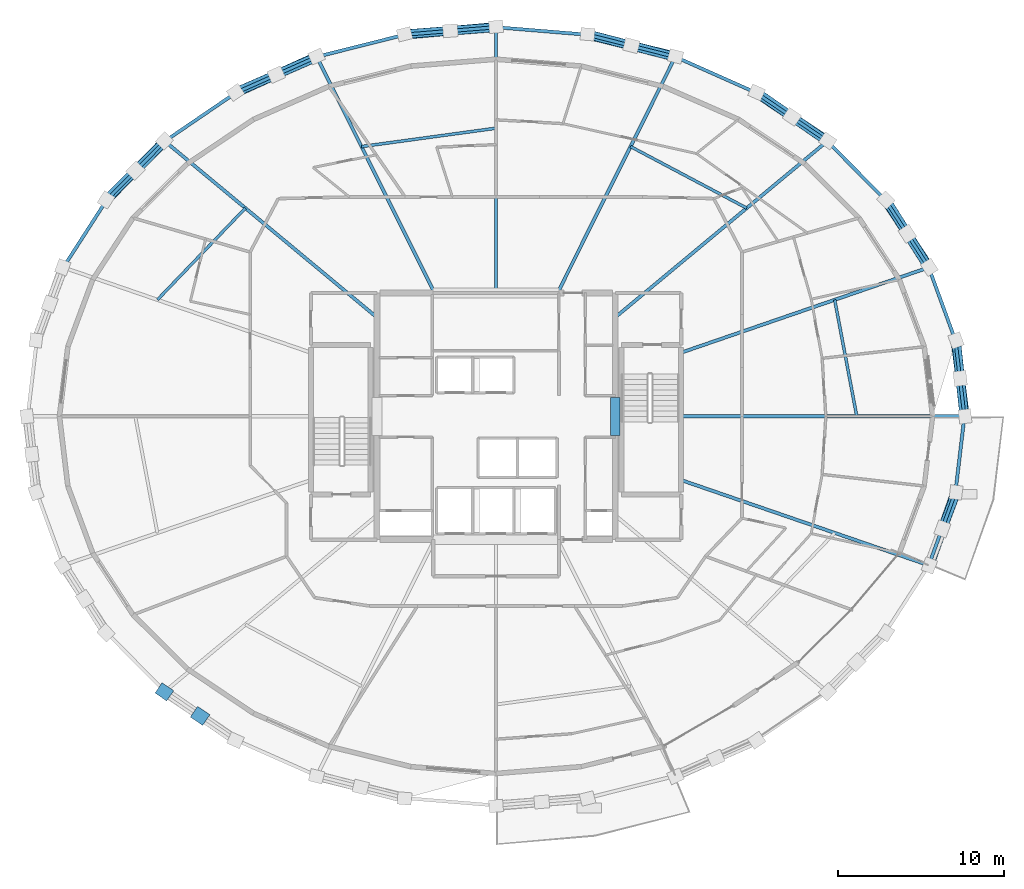
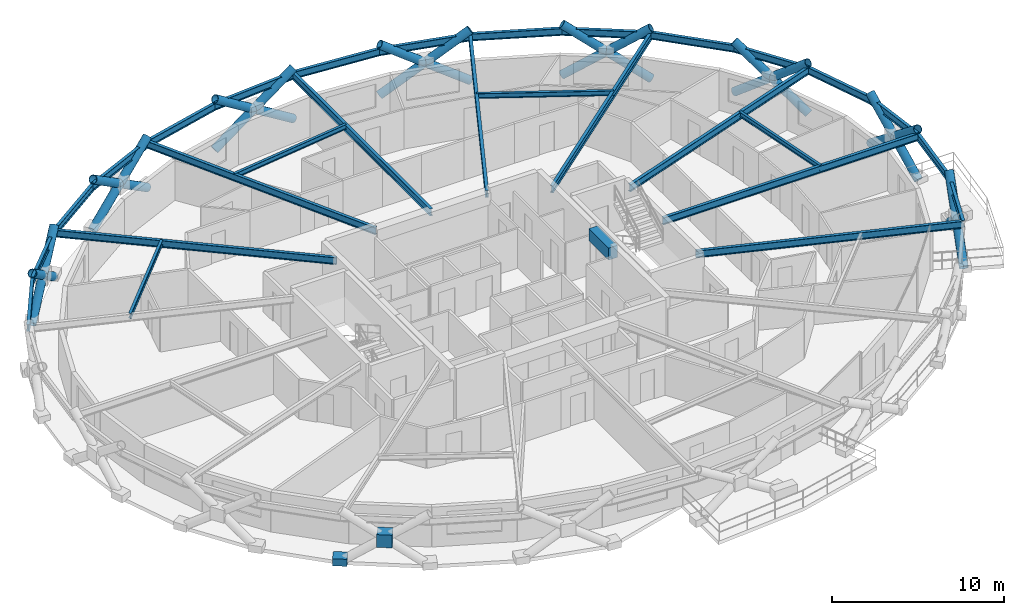
# One storey, part 7 of 14: 29 beams, 23 members, 2 plates.
"""IFC4 building model written with IfcOpenShell, lengths in metres."""

from ifc_helpers import new_model, si_unit, direction, frame, origin, origin_2d, place, context, subcontext, project, spatial, rectangle, hollow_circle, i_section, extrude, material, layer, layer_set, material_profile, profile_set, type_object, element, save


model = new_model("IFC4")

# Units and contexts
model_context = context("Model", 3, precision=1e-05, world=origin(), true_north=direction((0.0, 1.0)))
body_context = subcontext(model_context, "Body", "Model", "MODEL_VIEW")
ifc_project = project(units=[si_unit("LENGTHUNIT", "METRE"), si_unit("AREAUNIT", "SQUARE_METRE"), si_unit("VOLUMEUNIT", "CUBIC_METRE"), si_unit("PLANEANGLEUNIT", "RADIAN"), si_unit("MASSUNIT", "GRAM", prefix="KILO")], contexts=[model_context])

# Site, building, storey
site_placement = place(None, origin())
site = spatial("IfcSite", under=ifc_project, at=site_placement, CompositionType="ELEMENT")
building_placement = place(site_placement, origin())
building = spatial("IfcBuilding", under=site, at=building_placement, Name="Veldorina Hangang Commons", CompositionType="ELEMENT")
storey_placement = place(building_placement, frame((0.0, 0.0, 149.60009765625)))
storey = spatial("IfcBuildingStorey", under=building, at=storey_placement, Name="L38", CompositionType="ELEMENT", Elevation=149.60009765625)

# Beams
ifc_material_1 = material(Name="Concrete C60/75", Category="concrete")
ifc_material_profile_1 = material_profile(ifc_material_1, rectangle(XDim=0.60009765625, YDim=0.85009765625, at=origin_2d()), Name="RC-CB-600x850")
ifc_profile_set_1 = profile_set([ifc_material_profile_1], Name="Concrete C60/75")
beam_type_1 = type_object("IfcBeamType", Name="BM-CB850", PredefinedType="LINTEL", material=ifc_profile_set_1)
beam_1_placement = place(storey_placement, frame((39.199951171875, 22.85009765625, 2.9248046875), z_axis=(0.0, 1.0, 0.0), x_axis=(-1.0, 0.0, 0.0)))
element("IfcBeam", 1, at=beam_1_placement, inside=storey, type_object=beam_type_1, Name="L38 E core coupling lintel beam", PredefinedType="LINTEL", context=body_context, shape_type="SweptSolid", body=[
    extrude(rectangle(XDim=0.60009765625, YDim=0.85009765625, at=origin_2d()), origin(), (0.0, 0.0, 1.0), 2.2998046875),
])
ifc_material_2 = material(Name="Steel SM420-TMC", Category="steel")
ifc_material_profile_2 = material_profile(ifc_material_2, i_section(OverallWidth=0.199951171875, OverallDepth=0.5, WebThickness=0.010009765625, FlangeThickness=0.01611328125, FilletRadius=0.01611328125, at=origin_2d()), Name="H-500x200x10x16")
ifc_profile_set_2 = profile_set([ifc_material_profile_2], Name="Steel SM420-TMC")
beam_type_2 = type_object("IfcBeamType", Name="BM-FG500", PredefinedType="BEAM", material=ifc_profile_set_2)
beam_2_placement = place(storey_placement, frame((43.179931640625, 24.0, 3.099853515625), z_axis=(1.0, 0.0, 0.0), x_axis=(0.0, 1.0, 0.0)))
element("IfcBeam", 2, at=beam_2_placement, inside=storey, type_object=beam_type_2, Name="L38 radial floor girder 01", PredefinedType="BEAM", context=body_context, shape_type="SweptSolid", body=[
    extrude(i_section(OverallWidth=0.199951171875, OverallDepth=0.5, WebThickness=0.010009765625, FlangeThickness=0.01611328125, FilletRadius=0.01611328125, at=origin_2d()), origin(), (0.0, 0.0, 1.0), 17.10693359375),
])
beam_3_placement = place(storey_placement, frame((43.179931640625, 27.847412109375, 3.099853515625), z_axis=(0.945577538104, 0.325396864511, 0.0), x_axis=(-0.325396864511, 0.945577538104, 0.0)))
element("IfcBeam", 3, at=beam_3_placement, inside=storey, type_object=beam_type_2, Name="L38 radial floor girder 02", PredefinedType="BEAM", context=body_context, shape_type="SweptSolid", body=[
    extrude(i_section(OverallWidth=0.199951171875, OverallDepth=0.5, WebThickness=0.010009765625, FlangeThickness=0.01611328125, FilletRadius=0.01611328125, at=origin_2d()), origin(), (0.0, 0.0, 1.0), 15.814453125),
])
beam_4_placement = place(storey_placement, frame((39.199951171875, 29.981689453125, 3.099853515625), z_axis=(0.769170295329, 0.639043861393, 0.0), x_axis=(-0.639043861393, 0.769170295329, 0.0)))
element("IfcBeam", 4, at=beam_4_placement, inside=storey, type_object=beam_type_2, Name="L38 radial floor girder 03", PredefinedType="BEAM", context=body_context, shape_type="SweptSolid", body=[
    extrude(i_section(OverallWidth=0.199951171875, OverallDepth=0.5, WebThickness=0.010009765625, FlangeThickness=0.01611328125, FilletRadius=0.01611328125, at=origin_2d()), origin(), (0.0, 0.0, 1.0), 16.6435546875),
])
beam_5_placement = place(storey_placement, frame((35.71435546875, 31.449951171875, 3.099853515625), z_axis=(0.446189938387, 0.894938287751, 0.0), x_axis=(-0.894938287751, 0.446189938387, 0.0)))
element("IfcBeam", 5, at=beam_5_placement, inside=storey, type_object=beam_type_2, Name="L38 radial floor girder 04", PredefinedType="BEAM", context=body_context, shape_type="SweptSolid", body=[
    extrude(i_section(OverallWidth=0.199951171875, OverallDepth=0.5, WebThickness=0.010009765625, FlangeThickness=0.01611328125, FilletRadius=0.01611328125, at=origin_2d()), origin(), (0.0, 0.0, 1.0), 15.936279296875),
])
beam_6_placement = place(storey_placement, frame((32.0, 31.449951171875, 3.099853515625), z_axis=(0.0, 1.0, 0.0), x_axis=(-1.0, 0.0, 0.0)))
element("IfcBeam", 6, at=beam_6_placement, inside=storey, type_object=beam_type_2, Name="L38 radial floor girder 05", PredefinedType="BEAM", context=body_context, shape_type="SweptSolid", body=[
    extrude(i_section(OverallWidth=0.199951171875, OverallDepth=0.5, WebThickness=0.010009765625, FlangeThickness=0.01611328125, FilletRadius=0.01611328125, at=origin_2d()), origin(), (0.0, 0.0, 1.0), 16.05078125),
])
beam_7_placement = place(storey_placement, frame((28.28564453125, 31.449951171875, 3.099853515625), z_axis=(-0.446189938387, 0.894938287751, 0.0), x_axis=(-0.894938287751, -0.446189938387, 0.0)))
element("IfcBeam", 7, at=beam_7_placement, inside=storey, type_object=beam_type_2, Name="L38 radial floor girder 06", PredefinedType="BEAM", context=body_context, shape_type="SweptSolid", body=[
    extrude(i_section(OverallWidth=0.199951171875, OverallDepth=0.5, WebThickness=0.010009765625, FlangeThickness=0.01611328125, FilletRadius=0.01611328125, at=origin_2d()), origin(), (0.0, 0.0, 1.0), 15.936279296875),
])
beam_8_placement = place(storey_placement, frame((24.800048828125, 29.981689453125, 3.099853515625), z_axis=(-0.769170295329, 0.639043861393, 0.0), x_axis=(-0.639043861393, -0.769170295329, 0.0)))
element("IfcBeam", 8, at=beam_8_placement, inside=storey, type_object=beam_type_2, Name="L38 radial floor girder 07", PredefinedType="BEAM", context=body_context, shape_type="SweptSolid", body=[
    extrude(i_section(OverallWidth=0.199951171875, OverallDepth=0.5, WebThickness=0.010009765625, FlangeThickness=0.01611328125, FilletRadius=0.01611328125, at=origin_2d()), origin(), (0.0, 0.0, 1.0), 16.6435546875),
])
beam_9_placement = place(storey_placement, frame((43.179931640625, 20.152587890625, 3.099853515625), z_axis=(0.945577538104, -0.325396864511, 0.0), x_axis=(0.325396864511, 0.945577538104, 0.0)))
element("IfcBeam", 9, at=beam_9_placement, inside=storey, type_object=beam_type_2, Name="L38 radial floor girder 16", PredefinedType="BEAM", context=body_context, shape_type="SweptSolid", body=[
    extrude(i_section(OverallWidth=0.199951171875, OverallDepth=0.5, WebThickness=0.010009765625, FlangeThickness=0.01611328125, FilletRadius=0.01611328125, at=origin_2d()), origin(), (0.0, 0.0, 1.0), 15.814453125),
])
ifc_material_3 = material(Name="Steel SM355-TMC", Category="steel")
ifc_material_profile_3 = material_profile(ifc_material_3, i_section(OverallWidth=0.175048828125, OverallDepth=0.35009765625, WebThickness=0.007080078125, FlangeThickness=0.010986328125, FilletRadius=0.012939453125, at=origin_2d()), Name="H-350x175x7x11")
ifc_profile_set_3 = profile_set([ifc_material_profile_3], Name="Steel SM355-TMC")
beam_type_3 = type_object("IfcBeamType", Name="BM-JST350", PredefinedType="JOIST", material=ifc_profile_set_3)
beam_10_placement = place(storey_placement, frame((53.786376953125, 24.0, 3.1748046875), z_axis=(-0.186360310347, 0.98248146788, 0.0), x_axis=(-0.98248146788, -0.186360310347, 0.0)))
element("IfcBeam", 10, at=beam_10_placement, inside=storey, type_object=beam_type_3, Name="L38 secondary floor joist 01", PredefinedType="JOIST", context=body_context, shape_type="SweptSolid", body=[
    extrude(i_section(OverallWidth=0.175048828125, OverallDepth=0.35009765625, WebThickness=0.007080078125, FlangeThickness=0.010986328125, FilletRadius=0.012939453125, at=origin_2d()), origin(), (0.0, 0.0, 1.0), 7.163330078125),
])
beam_11_placement = place(storey_placement, frame((47.13720703125, 36.575927734375, 3.1748046875), z_axis=(-0.883629268199, 0.46818726636, 0.0), x_axis=(-0.46818726636, -0.883629268199, 0.0)))
element("IfcBeam", 11, at=beam_11_placement, inside=storey, type_object=beam_type_3, Name="L38 secondary floor joist 03", PredefinedType="JOIST", context=body_context, shape_type="SweptSolid", body=[
    extrude(i_section(OverallWidth=0.175048828125, OverallDepth=0.35009765625, WebThickness=0.007080078125, FlangeThickness=0.010986328125, FilletRadius=0.012939453125, at=origin_2d()), origin(), (0.0, 0.0, 1.0), 7.938232421875),
])
beam_12_placement = place(storey_placement, frame((32.0, 41.401611328125, 3.1748046875), z_axis=(-0.990806050519, -0.13528994883, 0.0), x_axis=(0.13528994883, -0.990806050519, 0.0)))
element("IfcBeam", 12, at=beam_12_placement, inside=storey, type_object=beam_type_3, Name="L38 secondary floor joist 05", PredefinedType="JOIST", context=body_context, shape_type="SweptSolid", body=[
    extrude(i_section(OverallWidth=0.175048828125, OverallDepth=0.35009765625, WebThickness=0.007080078125, FlangeThickness=0.010986328125, FilletRadius=0.012939453125, at=origin_2d()), origin(), (0.0, 0.0, 1.0), 8.1982421875),
])
beam_13_placement = place(storey_placement, frame((16.86279296875, 36.575927734375, 3.1748046875), z_axis=(-0.692372239826, -0.721540491947, 0.0), x_axis=(0.721540491947, -0.692372239826, 0.0)))
element("IfcBeam", 13, at=beam_13_placement, inside=storey, type_object=beam_type_3, Name="L38 secondary floor joist 07", PredefinedType="JOIST", context=body_context, shape_type="SweptSolid", body=[
    extrude(i_section(OverallWidth=0.175048828125, OverallDepth=0.35009765625, WebThickness=0.007080078125, FlangeThickness=0.010986328125, FilletRadius=0.012939453125, at=origin_2d()), origin(), (0.0, 0.0, 1.0), 7.67529296875),
])
ifc_material_profile_4 = material_profile(ifc_material_2, i_section(OverallWidth=0.199951171875, OverallDepth=0.5, WebThickness=0.010009765625, FlangeThickness=0.01611328125, FilletRadius=0.01611328125, at=origin_2d()), Name="H-500x200x10x16")
ifc_profile_set_4 = profile_set([ifc_material_profile_4], Name="Steel SM420-TMC")
beam_type_4 = type_object("IfcBeamType", Name="BM-RB500", PredefinedType="BEAM", material=ifc_profile_set_4)
beam_14_placement = place(storey_placement, frame((60.286865234375, 24.0, 3.099853515625), z_axis=(-0.117712561941, 0.993047709207, 0.0), x_axis=(-0.993047709207, -0.117712561941, 0.0)))
element("IfcBeam", 14, at=beam_14_placement, inside=storey, type_object=beam_type_4, Name="L38 perimeter hoop ring beam 00", PredefinedType="BEAM", context=body_context, shape_type="SweptSolid", body=[
    extrude(i_section(OverallWidth=0.199951171875, OverallDepth=0.5, WebThickness=0.010009765625, FlangeThickness=0.01611328125, FilletRadius=0.01611328125, at=origin_2d()), origin(), (0.0, 0.0, 1.0), 4.61669921875),
])
beam_15_placement = place(storey_placement, frame((59.743408203125, 28.584716796875, 3.099853515625), z_axis=(-0.34295818842, 0.939350669876, 0.0), x_axis=(-0.939350669876, -0.34295818842, 0.0)))
element("IfcBeam", 15, at=beam_15_placement, inside=storey, type_object=beam_type_4, Name="L38 perimeter hoop ring beam 01", PredefinedType="BEAM", context=body_context, shape_type="SweptSolid", body=[
    extrude(i_section(OverallWidth=0.199951171875, OverallDepth=0.5, WebThickness=0.010009765625, FlangeThickness=0.01611328125, FilletRadius=0.01611328125, at=origin_2d()), origin(), (0.0, 0.0, 1.0), 4.693359375),
])
beam_16_placement = place(storey_placement, frame((58.1337890625, 32.993408203125, 3.099853515625), z_axis=(-0.541064041237, 0.840981392945, 0.0), x_axis=(-0.840981392945, -0.541064041237, 0.0)))
element("IfcBeam", 16, at=beam_16_placement, inside=storey, type_object=beam_type_4, Name="L38 perimeter hoop ring beam 02", PredefinedType="BEAM", context=body_context, shape_type="SweptSolid", body=[
    extrude(i_section(OverallWidth=0.199951171875, OverallDepth=0.5, WebThickness=0.010009765625, FlangeThickness=0.01611328125, FilletRadius=0.01611328125, at=origin_2d()), origin(), (0.0, 0.0, 1.0), 4.831298828125),
])
beam_17_placement = place(storey_placement, frame((55.519775390625, 37.056396484375, 3.099853515625), z_axis=(-0.702777452467, 0.711409763993, 0.0), x_axis=(-0.711409763993, -0.702777452467, 0.0)))
element("IfcBeam", 17, at=beam_17_placement, inside=storey, type_object=beam_type_4, Name="L38 perimeter hoop ring beam 03", PredefinedType="BEAM", context=body_context, shape_type="SweptSolid", body=[
    extrude(i_section(OverallWidth=0.199951171875, OverallDepth=0.5, WebThickness=0.010009765625, FlangeThickness=0.01611328125, FilletRadius=0.01611328125, at=origin_2d()), origin(), (0.0, 0.0, 1.0), 5.005859375),
])
beam_18_placement = place(storey_placement, frame((52.001708984375, 40.61767578125, 3.099853515625), z_axis=(-0.826220373452, 0.563347046227, 0.0), x_axis=(-0.563347046227, -0.826220373452, 0.0)))
element("IfcBeam", 18, at=beam_18_placement, inside=storey, type_object=beam_type_4, Name="L38 perimeter hoop ring beam 04", PredefinedType="BEAM", context=body_context, shape_type="SweptSolid", body=[
    extrude(i_section(OverallWidth=0.199951171875, OverallDepth=0.5, WebThickness=0.010009765625, FlangeThickness=0.01611328125, FilletRadius=0.01611328125, at=origin_2d()), origin(), (0.0, 0.0, 1.0), 5.18798828125),
])
beam_19_placement = place(storey_placement, frame((47.71533203125, 43.540283203125, 3.099853515625), z_axis=(-0.91394132535, 0.405846342619, 0.0), x_axis=(-0.405846342619, -0.91394132535, 0.0)))
element("IfcBeam", 19, at=beam_19_placement, inside=storey, type_object=beam_type_4, Name="L38 perimeter hoop ring beam 05", PredefinedType="BEAM", context=body_context, shape_type="SweptSolid", body=[
    extrude(i_section(OverallWidth=0.199951171875, OverallDepth=0.5, WebThickness=0.010009765625, FlangeThickness=0.01611328125, FilletRadius=0.01611328125, at=origin_2d()), origin(), (0.0, 0.0, 1.0), 5.350830078125),
])
beam_20_placement = place(storey_placement, frame((42.824951171875, 45.7119140625, 3.099853515625), z_axis=(-0.969676214769, 0.244393204716, 0.0), x_axis=(-0.244393204716, -0.969676214769, 0.0)))
element("IfcBeam", 20, at=beam_20_placement, inside=storey, type_object=beam_type_4, Name="L38 perimeter hoop ring beam 06", PredefinedType="BEAM", context=body_context, shape_type="SweptSolid", body=[
    extrude(i_section(OverallWidth=0.199951171875, OverallDepth=0.5, WebThickness=0.010009765625, FlangeThickness=0.01611328125, FilletRadius=0.01611328125, at=origin_2d()), origin(), (0.0, 0.0, 1.0), 5.472412109375),
])
for number, where, z_axis, x_axis, name in (
    (21, (37.5185546875, 47.04931640625, 3.099853515625), (-0.996671102481, 0.081527378716, 0.0), (-0.081527378716, -0.996671102481, 0.0), "L38 perimeter hoop ring beam 07"),
    (22, (32.0, 47.500732421875, 3.099853515625), (-0.996671102481, -0.081527378716, 0.0), (0.081527378716, -0.996671102481, 0.0), "L38 perimeter hoop ring beam 08"),
):
    element("IfcBeam", number, at=place(storey_placement, frame(where, z_axis=z_axis, x_axis=x_axis)), inside=storey, type_object=beam_type_4, Name=name, PredefinedType="BEAM", context=body_context, shape_type="SweptSolid", body=[
        extrude(i_section(OverallWidth=0.199951171875, OverallDepth=0.5, WebThickness=0.010009765625, FlangeThickness=0.01611328125, FilletRadius=0.01611328125, at=origin_2d()), origin(), (0.0, 0.0, 1.0), 5.536865234375),
    ])
beam_21_placement = place(storey_placement, frame((26.4814453125, 47.04931640625, 3.099853515625), z_axis=(-0.969676214769, -0.244393204716, 0.0), x_axis=(0.244393204716, -0.969676214769, 0.0)))
element("IfcBeam", 23, at=beam_21_placement, inside=storey, type_object=beam_type_4, Name="L38 perimeter hoop ring beam 09", PredefinedType="BEAM", context=body_context, shape_type="SweptSolid", body=[
    extrude(i_section(OverallWidth=0.199951171875, OverallDepth=0.5, WebThickness=0.010009765625, FlangeThickness=0.01611328125, FilletRadius=0.01611328125, at=origin_2d()), origin(), (0.0, 0.0, 1.0), 5.472412109375),
])
beam_22_placement = place(storey_placement, frame((21.175048828125, 45.7119140625, 3.099853515625), z_axis=(-0.91394132535, -0.405846342619, 0.0), x_axis=(0.405846342619, -0.91394132535, 0.0)))
element("IfcBeam", 24, at=beam_22_placement, inside=storey, type_object=beam_type_4, Name="L38 perimeter hoop ring beam 10", PredefinedType="BEAM", context=body_context, shape_type="SweptSolid", body=[
    extrude(i_section(OverallWidth=0.199951171875, OverallDepth=0.5, WebThickness=0.010009765625, FlangeThickness=0.01611328125, FilletRadius=0.01611328125, at=origin_2d()), origin(), (0.0, 0.0, 1.0), 5.350830078125),
])
beam_23_placement = place(storey_placement, frame((16.28466796875, 43.540283203125, 3.099853515625), z_axis=(-0.826220373452, -0.563347046227, 0.0), x_axis=(0.563347046227, -0.826220373452, 0.0)))
element("IfcBeam", 25, at=beam_23_placement, inside=storey, type_object=beam_type_4, Name="L38 perimeter hoop ring beam 11", PredefinedType="BEAM", context=body_context, shape_type="SweptSolid", body=[
    extrude(i_section(OverallWidth=0.199951171875, OverallDepth=0.5, WebThickness=0.010009765625, FlangeThickness=0.01611328125, FilletRadius=0.01611328125, at=origin_2d()), origin(), (0.0, 0.0, 1.0), 5.18798828125),
])
beam_24_placement = place(storey_placement, frame((11.998291015625, 40.61767578125, 3.099853515625), z_axis=(-0.702777452467, -0.711409763993, 0.0), x_axis=(0.711409763993, -0.702777452467, 0.0)))
element("IfcBeam", 26, at=beam_24_placement, inside=storey, type_object=beam_type_4, Name="L38 perimeter hoop ring beam 12", PredefinedType="BEAM", context=body_context, shape_type="SweptSolid", body=[
    extrude(i_section(OverallWidth=0.199951171875, OverallDepth=0.5, WebThickness=0.010009765625, FlangeThickness=0.01611328125, FilletRadius=0.01611328125, at=origin_2d()), origin(), (0.0, 0.0, 1.0), 5.005859375),
])
beam_25_placement = place(storey_placement, frame((8.480224609375, 37.056396484375, 3.099853515625), z_axis=(-0.541064041237, -0.840981392945, 0.0), x_axis=(0.840981392945, -0.541064041237, 0.0)))
element("IfcBeam", 27, at=beam_25_placement, inside=storey, type_object=beam_type_4, Name="L38 perimeter hoop ring beam 13", PredefinedType="BEAM", context=body_context, shape_type="SweptSolid", body=[
    extrude(i_section(OverallWidth=0.199951171875, OverallDepth=0.5, WebThickness=0.010009765625, FlangeThickness=0.01611328125, FilletRadius=0.01611328125, at=origin_2d()), origin(), (0.0, 0.0, 1.0), 4.831298828125),
])
beam_26_placement = place(storey_placement, frame((58.1337890625, 15.006591796875, 3.099853515625), z_axis=(0.34295818842, 0.939350669876, 0.0), x_axis=(-0.939350669876, 0.34295818842, 0.0)))
element("IfcBeam", 28, at=beam_26_placement, inside=storey, type_object=beam_type_4, Name="L38 perimeter hoop ring beam 30", PredefinedType="BEAM", context=body_context, shape_type="SweptSolid", body=[
    extrude(i_section(OverallWidth=0.199951171875, OverallDepth=0.5, WebThickness=0.010009765625, FlangeThickness=0.01611328125, FilletRadius=0.01611328125, at=origin_2d()), origin(), (0.0, 0.0, 1.0), 4.693359375),
])
beam_27_placement = place(storey_placement, frame((59.743408203125, 19.415283203125, 3.099853515625), z_axis=(0.117712561941, 0.993047709207, 0.0), x_axis=(-0.993047709207, 0.117712561941, 0.0)))
element("IfcBeam", 29, at=beam_27_placement, inside=storey, type_object=beam_type_4, Name="L38 perimeter hoop ring beam 31", PredefinedType="BEAM", context=body_context, shape_type="SweptSolid", body=[
    extrude(i_section(OverallWidth=0.199951171875, OverallDepth=0.5, WebThickness=0.010009765625, FlangeThickness=0.01611328125, FilletRadius=0.01611328125, at=origin_2d()), origin(), (0.0, 0.0, 1.0), 4.61669921875),
])

# Members
ifc_material_profile_5 = material_profile(ifc_material_2, hollow_circle(Radius=0.27490234375, WallThickness=0.028076171875, at=origin_2d()), Name="CHS-550x28")
ifc_profile_set_5 = profile_set([ifc_material_profile_5], Name="Steel SM420-TMC")
member_type = type_object("IfcMemberType", Name="DG-CHS550", PredefinedType="BRACE", material=ifc_profile_set_5)
member_1_placement = place(storey_placement, frame((60.32568359375, 24.0, 0.0), z_axis=(-0.10043747987, 0.782495486324, 0.614502340533), x_axis=(-0.99186286061, -0.1273109019, 0.0)))
element("IfcMember", 30, at=member_1_placement, inside=storey, type_object=member_type, Name="L38 continuous perimeter diagrid brace 00", PredefinedType="BRACE", context=body_context, shape_type="SweptSolid", body=[
    extrude(hollow_circle(Radius=0.27490234375, WallThickness=0.028076171875, at=origin_2d()), origin(), (0.0, 0.0, 1.0), 5.858154296875),
])
member_2_placement = place(storey_placement, frame((59.781494140625, 28.590087890625, 0.0), z_axis=(0.085262344098, -0.784030176863, 0.614839015065), x_axis=(0.994138785245, 0.108111403987, 0.0)))
element("IfcMember", 31, at=member_2_placement, inside=storey, type_object=member_type, Name="L38 split perimeter diagrid lower brace 01", PredefinedType="BRACE", context=body_context, shape_type="SweptSolid", body=[
    extrude(hollow_circle(Radius=0.27490234375, WallThickness=0.028076171875, at=origin_2d()), origin(), (0.0, 0.0, 1.0), 2.92919921875),
])
member_3_placement = place(storey_placement, frame((60.03125, 26.29345703125, 1.801025390625), z_axis=(0.085208545501, -0.783985383383, 0.614903587903), x_axis=(0.99414545161, 0.108050085809, 0.0)))
element("IfcMember", 32, at=member_3_placement, inside=storey, type_object=member_type, Name="L38 split perimeter diagrid upper brace 01", PredefinedType="BRACE", context=body_context, shape_type="SweptSolid", body=[
    extrude(hollow_circle(Radius=0.27490234375, WallThickness=0.028076171875, at=origin_2d()), origin(), (0.0, 0.0, 1.0), 2.92529296875),
])
member_4_placement = place(storey_placement, frame((58.169677734375, 33.00390625, 0.0), z_axis=(-0.440032838806, 0.671175502294, 0.596568978319), x_axis=(-0.83629135652, -0.548285297095, 0.0)))
element("IfcMember", 33, at=member_4_placement, inside=storey, type_object=member_type, Name="L38 continuous perimeter diagrid brace 02", PredefinedType="BRACE", context=body_context, shape_type="SweptSolid", body=[
    extrude(hollow_circle(Radius=0.27490234375, WallThickness=0.028076171875, at=origin_2d()), origin(), (0.0, 0.0, 1.0), 6.0341796875),
])
member_5_placement = place(storey_placement, frame((55.552001953125, 37.071533203125, 0.0), z_axis=(0.427955514779, -0.677677283913, 0.598002990158), x_axis=(0.845517737838, 0.533947333547, 0.0)))
element("IfcMember", 34, at=member_5_placement, inside=storey, type_object=member_type, Name="L38 split perimeter diagrid lower brace 03", PredefinedType="BRACE", context=body_context, shape_type="SweptSolid", body=[
    extrude(hollow_circle(Radius=0.27490234375, WallThickness=0.028076171875, at=origin_2d()), origin(), (0.0, 0.0, 1.0), 3.01220703125),
])
member_6_placement = place(storey_placement, frame((56.841064453125, 35.0302734375, 1.80126953125), z_axis=(0.427846222587, -0.677768157579, 0.597978205615), x_axis=(0.84561160894, 0.533798657572, 0.0)))
element("IfcMember", 35, at=member_6_placement, inside=storey, type_object=member_type, Name="L38 split perimeter diagrid upper brace 03", PredefinedType="BRACE", context=body_context, shape_type="SweptSolid", body=[
    extrude(hollow_circle(Radius=0.27490234375, WallThickness=0.028076171875, at=origin_2d()), origin(), (0.0, 0.0, 1.0), 3.0078125),
])
member_7_placement = place(storey_placement, frame((52.029296875, 40.63671875, 0.0), z_axis=(-0.682568429135, 0.458467982428, 0.569128674938), x_axis=(-0.557578393246, -0.830124289119, 0.0)))
element("IfcMember", 36, at=member_7_placement, inside=storey, type_object=member_type, Name="L38 continuous perimeter diagrid brace 04", PredefinedType="BRACE", context=body_context, shape_type="SweptSolid", body=[
    extrude(hollow_circle(Radius=0.27490234375, WallThickness=0.028076171875, at=origin_2d()), origin(), (0.0, 0.0, 1.0), 6.3251953125),
])
member_8_placement = place(storey_placement, frame((47.737060546875, 43.562744140625, 0.0), z_axis=(0.675345883336, -0.467219936009, 0.570625507015), x_axis=(0.568940593857, 0.822378623665, 0.0)))
element("IfcMember", 37, at=member_8_placement, inside=storey, type_object=member_type, Name="L38 split perimeter diagrid lower brace 05", PredefinedType="BRACE", context=body_context, shape_type="SweptSolid", body=[
    extrude(hollow_circle(Radius=0.27490234375, WallThickness=0.028076171875, at=origin_2d()), origin(), (0.0, 0.0, 1.0), 3.15673828125),
])
member_9_placement = place(storey_placement, frame((49.868896484375, 42.087890625, 1.80126953125), z_axis=(0.675231045843, -0.46742594192, 0.570592694967), x_axis=(0.569175648602, 0.822215957665, 0.0)))
element("IfcMember", 38, at=member_9_placement, inside=storey, type_object=member_type, Name="L38 split perimeter diagrid upper brace 05", PredefinedType="BRACE", context=body_context, shape_type="SweptSolid", body=[
    extrude(hollow_circle(Radius=0.27490234375, WallThickness=0.028076171875, at=origin_2d()), origin(), (0.0, 0.0, 1.0), 3.152099609375),
])
member_10_placement = place(storey_placement, frame((42.83984375, 45.737060546875, 0.0), z_axis=(-0.811688751292, 0.199450329832, 0.548981727343), x_axis=(-0.238624231571, -0.97111197918, 0.0)))
element("IfcMember", 39, at=member_10_placement, inside=storey, type_object=member_type, Name="L38 continuous perimeter diagrid brace 06", PredefinedType="BRACE", context=body_context, shape_type="SweptSolid", body=[
    extrude(hollow_circle(Radius=0.27490234375, WallThickness=0.028076171875, at=origin_2d()), origin(), (0.0, 0.0, 1.0), 6.557373046875),
])
member_11_placement = place(storey_placement, frame((37.526123046875, 47.075927734375, 0.0), z_axis=(0.808834033051, -0.208839516824, 0.549703159161), x_axis=(0.249999402392, 0.968245990854, 0.0)))
element("IfcMember", 40, at=member_11_placement, inside=storey, type_object=member_type, Name="L38 split perimeter diagrid lower brace 07", PredefinedType="BRACE", context=body_context, shape_type="SweptSolid", body=[
    extrude(hollow_circle(Radius=0.27490234375, WallThickness=0.028076171875, at=origin_2d()), origin(), (0.0, 0.0, 1.0), 3.27685546875),
])
member_12_placement = place(storey_placement, frame((40.176513671875, 46.3916015625, 1.80126953125), z_axis=(0.808759727675, -0.209017899725, 0.549744686638), x_axis=(0.250221128378, 0.968188714515, 0.0)))
element("IfcMember", 41, at=member_12_placement, inside=storey, type_object=member_type, Name="L38 split perimeter diagrid upper brace 07", PredefinedType="BRACE", context=body_context, shape_type="SweptSolid", body=[
    extrude(hollow_circle(Radius=0.27490234375, WallThickness=0.028076171875, at=origin_2d()), origin(), (0.0, 0.0, 1.0), 3.271728515625),
])
member_13_placement = place(storey_placement, frame((32.0, 47.528076171875, 0.0), z_axis=(-0.835256678797, -0.073143633229, 0.544973659403), x_axis=(0.087236397032, -0.996187638466, 0.0)))
element("IfcMember", 42, at=member_13_placement, inside=storey, type_object=member_type, Name="L38 continuous perimeter diagrid brace 08", PredefinedType="BRACE", context=body_context, shape_type="SweptSolid", body=[
    extrude(hollow_circle(Radius=0.27490234375, WallThickness=0.028076171875, at=origin_2d()), origin(), (0.0, 0.0, 1.0), 6.60546875),
])
member_14_placement = place(storey_placement, frame((26.473876953125, 47.075927734375, 0.0), z_axis=(0.836222574531, 0.063637667453, 0.54468527897), x_axis=(-0.075881936063, 0.997116809496, 0.0)))
element("IfcMember", 43, at=member_14_placement, inside=storey, type_object=member_type, Name="L38 split perimeter diagrid lower brace 09", PredefinedType="BRACE", context=body_context, shape_type="SweptSolid", body=[
    extrude(hollow_circle(Radius=0.27490234375, WallThickness=0.028076171875, at=origin_2d()), origin(), (0.0, 0.0, 1.0), 3.306884765625),
])
member_15_placement = place(storey_placement, frame((29.2392578125, 47.286376953125, 1.80126953125), z_axis=(0.836178409206, 0.063593334977, 0.544758254388), x_axis=(-0.07583335995, 0.997120505014, 0.0)))
element("IfcMember", 44, at=member_15_placement, inside=storey, type_object=member_type, Name="L38 split perimeter diagrid upper brace 09", PredefinedType="BRACE", context=body_context, shape_type="SweptSolid", body=[
    extrude(hollow_circle(Radius=0.27490234375, WallThickness=0.028076171875, at=origin_2d()), origin(), (0.0, 0.0, 1.0), 3.301513671875),
])
member_16_placement = place(storey_placement, frame((21.16015625, 45.737060546875, 0.0), z_axis=(-0.7559464412, -0.341418384172, 0.558550324489), x_axis=(0.411609970981, -0.911360099955, 0.0)))
element("IfcMember", 45, at=member_16_placement, inside=storey, type_object=member_type, Name="L38 continuous perimeter diagrid brace 10", PredefinedType="BRACE", context=body_context, shape_type="SweptSolid", body=[
    extrude(hollow_circle(Radius=0.27490234375, WallThickness=0.028076171875, at=origin_2d()), origin(), (0.0, 0.0, 1.0), 6.445068359375),
])
member_17_placement = place(storey_placement, frame((16.262939453125, 43.562744140625, 0.0), z_axis=(0.760989931178, 0.332073827423, 0.557334098891), x_axis=(-0.39995001438, 0.916536952881, 0.0)))
element("IfcMember", 46, at=member_17_placement, inside=storey, type_object=member_type, Name="L38 split perimeter diagrid lower brace 11", PredefinedType="BRACE", context=body_context, shape_type="SweptSolid", body=[
    extrude(hollow_circle(Radius=0.27490234375, WallThickness=0.028076171875, at=origin_2d()), origin(), (0.0, 0.0, 1.0), 3.23193359375),
])
member_18_placement = place(storey_placement, frame((18.722412109375, 44.635986328125, 1.80126953125), z_axis=(0.760884407169, 0.332168113313, 0.557421979675), x_axis=(-0.400092001366, 0.916474980806, 0.0)))
element("IfcMember", 47, at=member_18_placement, inside=storey, type_object=member_type, Name="L38 split perimeter diagrid upper brace 11", PredefinedType="BRACE", context=body_context, shape_type="SweptSolid", body=[
    extrude(hollow_circle(Radius=0.27490234375, WallThickness=0.028076171875, at=origin_2d()), origin(), (0.0, 0.0, 1.0), 3.2265625),
])
member_19_placement = place(storey_placement, frame((11.970703125, 40.63671875, 0.0), z_axis=(-0.565797633173, -0.58165185757, 0.58442634684), x_axis=(0.716808404306, -0.697270185449, 0.0)))
element("IfcMember", 48, at=member_19_placement, inside=storey, type_object=member_type, Name="L38 continuous perimeter diagrid brace 12", PredefinedType="BRACE", context=body_context, shape_type="SweptSolid", body=[
    extrude(hollow_circle(Radius=0.27490234375, WallThickness=0.028076171875, at=origin_2d()), origin(), (0.0, 0.0, 1.0), 6.15966796875),
])
member_20_placement = place(storey_placement, frame((8.447998046875, 37.071533203125, 0.0), z_axis=(0.575598404646, 0.573544388928, 0.582866460263), x_axis=(-0.70584174766, 0.708369555572, 0.0)))
element("IfcMember", 49, at=member_20_placement, inside=storey, type_object=member_type, Name="L38 split perimeter diagrid lower brace 13", PredefinedType="BRACE", context=body_context, shape_type="SweptSolid", body=[
    extrude(hollow_circle(Radius=0.27490234375, WallThickness=0.028076171875, at=origin_2d()), origin(), (0.0, 0.0, 1.0), 3.09033203125),
])
member_21_placement = place(storey_placement, frame((10.226806640625, 38.843994140625, 1.80126953125), z_axis=(0.57546447422, 0.573723998769, 0.582821938628), x_axis=(-0.706035040062, 0.70817690036, 0.0)))
element("IfcMember", 50, at=member_21_placement, inside=storey, type_object=member_type, Name="L38 split perimeter diagrid upper brace 13", PredefinedType="BRACE", context=body_context, shape_type="SweptSolid", body=[
    extrude(hollow_circle(Radius=0.27490234375, WallThickness=0.028076171875, at=origin_2d()), origin(), (0.0, 0.0, 1.0), 3.0859375),
])
member_22_placement = place(storey_placement, frame((58.169677734375, 14.99609375, 0.0), z_axis=(0.26515879031, 0.747614816972, 0.608903031167), x_axis=(-0.942476955609, 0.334271129693, 0.0)))
element("IfcMember", 51, at=member_22_placement, inside=storey, type_object=member_type, Name="L38 continuous perimeter diagrid brace 30", PredefinedType="BRACE", context=body_context, shape_type="SweptSolid", body=[
    extrude(hollow_circle(Radius=0.27490234375, WallThickness=0.028076171875, at=origin_2d()), origin(), (0.0, 0.0, 1.0), 5.912109375),
])
member_23_placement = place(storey_placement, frame((59.781494140625, 19.409912109375, 0.0), z_axis=(-0.279343569548, -0.743268140803, 0.60788127214), x_axis=(0.936073039198, -0.35180572094, 0.0)))
element("IfcMember", 52, at=member_23_placement, inside=storey, type_object=member_type, Name="L38 split perimeter diagrid lower brace 31", PredefinedType="BRACE", context=body_context, shape_type="SweptSolid", body=[
    extrude(hollow_circle(Radius=0.27490234375, WallThickness=0.028076171875, at=origin_2d()), origin(), (0.0, 0.0, 1.0), 2.962890625),
])

# Plates
ifc_material_4 = material(Name="Steel SM460-TMC", Category="steel")
ifc_layer = layer(ifc_material_4, 0.035888671875)
ifc_layer_set = layer_set([ifc_layer], Name="Steel SM460-TMC")
plate_type = type_object("IfcPlateType", Name="PL-STAR-36", PredefinedType="USERDEFINED", material=ifc_layer_set)
plate_1_placement = place(storey_placement, frame((11.970703125, 7.36328125, -0.090087890625), z_axis=(0.0, 0.0, 1.0), x_axis=(0.826285121385, -0.563252073389, 0.0)))
element("IfcPlate", 53, at=plate_1_placement, inside=storey, type_object=plate_type, Name="L38 diagrid star-node gusset plate 20", ObjectType="GUSSET PLATE", PredefinedType="USERDEFINED", context=body_context, shape_type="SweptSolid", body=[
    extrude(rectangle(XDim=0.85009765625, YDim=0.75, at=origin_2d()), origin(), (0.0, 0.0, 1.0), 0.5),
])
plate_2_placement = place(storey_placement, frame((14.131103515625, 5.912109375, 1.351318359375), z_axis=(0.0, 0.0, 1.0), x_axis=(0.826285121385, -0.563252073389, 0.0)))
element("IfcPlate", 54, at=plate_2_placement, inside=storey, type_object=plate_type, Name="L38 diagrid X-crossing star-node gusset plate 20", ObjectType="GUSSET PLATE", PredefinedType="USERDEFINED", context=body_context, shape_type="SweptSolid", body=[
    extrude(rectangle(XDim=0.89990234375, YDim=0.780029296875, at=origin_2d()), origin(), (0.0, 0.0, 1.0), 0.89990234375),
])

save(model, "model.ifc")
